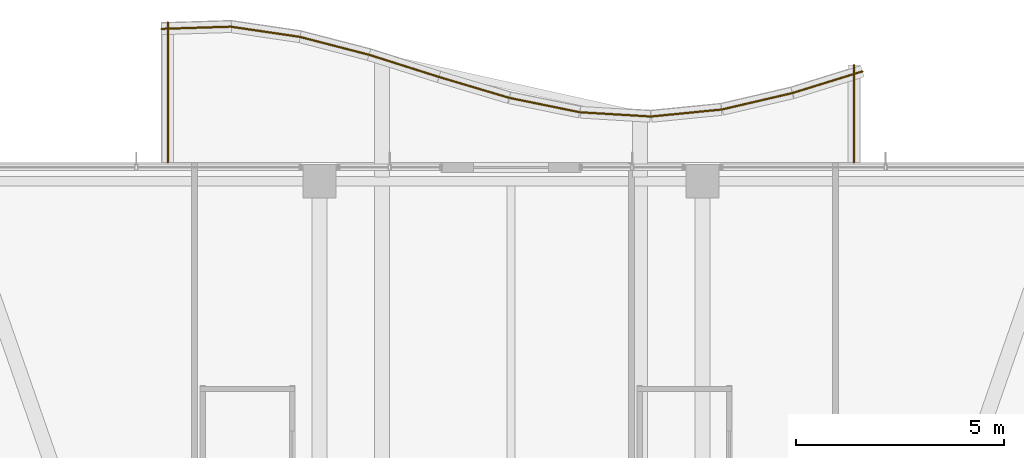
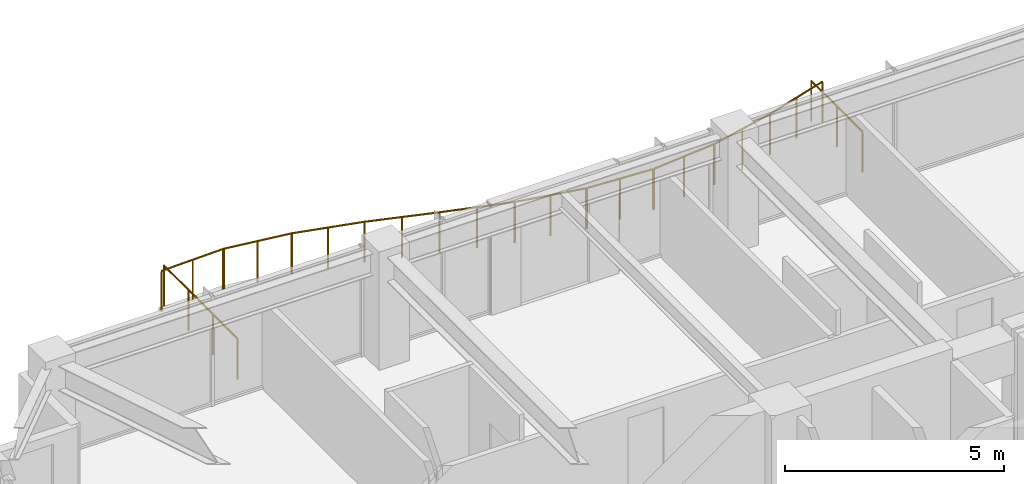
# One storey, part 36 of 36: 12 railings.
"""IFC4 building model written with IfcOpenShell, lengths in metres."""

import ifcopenshell
import ifcopenshell.guid

model = None  # the IFC model being written
_history = None  # IfcOwnerHistory: only IFC2X3 demands one
_inside = {}  # id of a spatial element -> (the spatial element, [elements in it])
_under = {}  # id of a project, library or spatial element -> (it, [spatial elements below it])
_declared = {}  # id of a project -> (the project, [libraries it declares])
_typed = {}  # id of a type object -> (the type object, [elements of that type])
_made_of = {}  # id of a material, layer set ... -> (it, [elements and type objects made of it])


def new_model(schema):
    """Start an empty IFC model of exactly this schema.

    Asked for "IFC4X3", IfcOpenShell would pick the latest addendum, in which some entities
    have other attributes; the version numbers below select the first issue.
    IFC2X3 requires an IfcOwnerHistory on every rooted entity: one is made here for all.
    """
    global model, _history
    if schema == "IFC4X3":
        model = ifcopenshell.file(schema_version=(4, 3, 0, 0))
    else:
        model = ifcopenshell.file(schema=schema)
    _inside.clear()
    _under.clear()
    _declared.clear()
    _typed.clear()
    _made_of.clear()
    _history = None
    if model.schema == "IFC2X3":
        org = make("IfcOrganization", Name="unknown")
        user = make(
            "IfcPersonAndOrganization",
            ThePerson=make("IfcPerson", FamilyName="unknown"),
            TheOrganization=org,
        )
        app = make(
            "IfcApplication",
            ApplicationDeveloper=org,
            Version="unknown",
            ApplicationFullName="unknown",
            ApplicationIdentifier="unknown",
        )
        _history = make(
            "IfcOwnerHistory",
            OwningUser=user,
            OwningApplication=app,
            ChangeAction="ADDED",
            CreationDate=0,
        )
    return model


def make(cls, **values):
    """One entity of the class cls with the attributes given. An attribute that is None is left unset."""
    return model.create_entity(
        cls, **{name: value for name, value in values.items() if value is not None}
    )


def rooted(cls, **values):
    """An entity with a GlobalId (a new one), such as an element, a storey or a relation."""
    return make(cls, GlobalId=ifcopenshell.guid.new(), OwnerHistory=_history, **values)


def si_unit(unit_type, name, prefix=None):
    """IfcSIUnit, for example si_unit("LENGTHUNIT", "METRE", prefix="MILLI")."""
    return make("IfcSIUnit", UnitType=unit_type, Prefix=prefix, Name=name)


def assignment(units):
    """IfcUnitAssignment: the units of a project."""
    return None if units is None else make("IfcUnitAssignment", Units=units)


def point(xyz):
    """IfcCartesianPoint."""
    return None if xyz is None else make("IfcCartesianPoint", Coordinates=xyz)


def direction(xyz):
    """IfcDirection."""
    return None if xyz is None else make("IfcDirection", DirectionRatios=xyz)


def frame(location, z_axis=None, x_axis=None):
    """IfcAxis2Placement3D, a coordinate frame: its origin and axes. An axis left out is left unset."""
    return make(
        "IfcAxis2Placement3D",
        Location=point(location),
        Axis=direction(z_axis),
        RefDirection=direction(x_axis),
    )


def frame_2d(location, x_axis=None):
    """IfcAxis2Placement2D, a coordinate frame in the plane: its origin and x axis."""
    return make(
        "IfcAxis2Placement2D", Location=point(location), RefDirection=direction(x_axis)
    )


def origin():
    """The frame at (0, 0, 0) with its axes left unset."""
    return frame((0.0, 0.0, 0.0))


def origin_2d():
    """The frame at (0, 0) in the plane with its x axis left unset."""
    return frame_2d((0.0, 0.0))


def place(relative_to, where):
    """IfcLocalPlacement: puts the frame where relative to a parent placement (None: the world)."""
    return make(
        "IfcLocalPlacement", PlacementRelTo=relative_to, RelativePlacement=where
    )


def context(
    kind, dimensions, precision=None, world=None, true_north=None, identifier=None
):
    """IfcGeometricRepresentationContext, for example the 3D "Model" context."""
    return make(
        "IfcGeometricRepresentationContext",
        ContextIdentifier=identifier,
        ContextType=kind,
        CoordinateSpaceDimension=dimensions,
        Precision=precision,
        WorldCoordinateSystem=world,
        TrueNorth=true_north,
    )


def subcontext(parent, identifier, kind, view, scale=None):
    """IfcGeometricRepresentationSubContext, for example "Body" below "Model"."""
    return make(
        "IfcGeometricRepresentationSubContext",
        ContextIdentifier=identifier,
        ContextType=kind,
        ParentContext=parent,
        TargetScale=scale,
        TargetView=view,
    )


def project(units=None, contexts=None):
    """IfcProject with its units and contexts."""
    return rooted(
        "IfcProject",
        Name="project",
        RepresentationContexts=contexts,
        UnitsInContext=assignment(units),
    )


def spatial(cls, under=None, at=None, **own):
    """A site, building, storey or space (cls), placed at a placement, below another one or the project."""
    s = rooted(cls, ObjectPlacement=at, **own)
    if under is not None:
        _under.setdefault(under.id(), (under, []))[1].append(s)
    return s


def profile(cls, at=None, kind="AREA", **sizes):
    """A parametric profile (cls). Its sizes go by their IFC names, for example OverallWidth=200.0."""
    return make(cls, ProfileType=kind, Position=at, **sizes)


def circle(**sizes):
    """IfcCircleProfileDef."""
    return profile("IfcCircleProfileDef", **sizes)


def extrude(swept, where, along, depth):
    """IfcExtrudedAreaSolid: the profile swept, set in the frame where, extruded along a direction by depth."""
    return make(
        "IfcExtrudedAreaSolid",
        SweptArea=swept,
        Position=where,
        ExtrudedDirection=direction(along),
        Depth=depth,
    )


def shape(context_of_items, identifier, shape_type, items):
    """IfcShapeRepresentation: the items that make up one representation, for example the "Body"."""
    return make(
        "IfcShapeRepresentation",
        ContextOfItems=context_of_items,
        RepresentationIdentifier=identifier,
        RepresentationType=shape_type,
        Items=items,
    )


def material(Name=None, Category=None):
    """IfcMaterial."""
    return make("IfcMaterial", Name=Name, Category=Category)


def made_of(thing, what):
    """Note that an element or type object is made of a material, layer set ...; save() writes the relation."""
    if what is not None:
        _made_of.setdefault(what.id(), (what, []))[1].append(thing)
    return thing


def type_object(cls, material=None, **own):
    """A type object (cls), such as IfcWallType, which elements share."""
    return made_of(rooted(cls, **own), material)


def element(
    cls,
    number,
    at=None,
    inside=None,
    cuts=None,
    type_object=None,
    material=None,
    context=None,
    identifier="Body",
    shape_type=None,
    held_by="IfcProductDefinitionShape",
    body=None,
    shapes=None,
    **own,
):
    """One element of the class cls, such as IfcWall. Its Tag is "e" and its number.

    at: its placement. inside: the storey or other place that contains it. cuts: it is an
    opening in that element (IfcRelVoidsElement). A single representation is given by context,
    identifier, shape_type and body (its items); several are given by shapes. held_by: the class
    of the entity that holds the representations. save() writes the other relations.
    """
    e = rooted(cls, Tag="e%d" % number, ObjectPlacement=at, **own)
    if body is not None:
        shapes = [shape(context, identifier, shape_type, body)]
    if shapes is not None:
        e.Representation = make(held_by, Representations=shapes)
    if inside is not None:
        _inside.setdefault(inside.id(), (inside, []))[1].append(e)
    if cuts is not None:
        rooted(
            "IfcRelVoidsElement", RelatingBuildingElement=cuts, RelatedOpeningElement=e
        )
    if type_object is not None:
        _typed.setdefault(type_object.id(), (type_object, []))[1].append(e)
    return made_of(e, material)


def aggregate(whole, parts):
    """IfcRelAggregates: a whole, such as a stair, and the parts it consists of."""
    return rooted("IfcRelAggregates", RelatingObject=whole, RelatedObjects=parts)


def save(model, path):
    """Write the relations noted so far, then the file.

    IfcRelAggregates (storeys below a building ...), IfcRelContainedInSpatialStructure (elements
    in a storey), IfcRelDefinesByType, IfcRelAssociatesMaterial and IfcRelDeclares: one each for
    every whole, place, type object, material and project.
    """
    for whole, parts in _under.values():
        aggregate(whole, parts)
    for where, things in _inside.values():
        rooted(
            "IfcRelContainedInSpatialStructure",
            RelatedElements=things,
            RelatingStructure=where,
        )
    for kind, things in _typed.values():
        rooted("IfcRelDefinesByType", RelatedObjects=things, RelatingType=kind)
    for what, things in _made_of.values():
        rooted("IfcRelAssociatesMaterial", RelatedObjects=things, RelatingMaterial=what)
    for by, libraries in _declared.values():
        rooted("IfcRelDeclares", RelatingContext=by, RelatedDefinitions=libraries)
    model.write(path)


model = new_model("IFC4")

# Units and contexts
model_context = context("Model", 3, precision=1e-05, world=origin(), true_north=direction((0.0, 1.0)))
body_context = subcontext(model_context, "Body", "Model", "MODEL_VIEW")
ifc_project = project(units=[si_unit("LENGTHUNIT", "METRE"), si_unit("AREAUNIT", "SQUARE_METRE"), si_unit("VOLUMEUNIT", "CUBIC_METRE"), si_unit("PLANEANGLEUNIT", "RADIAN"), si_unit("MASSUNIT", "GRAM", prefix="KILO")], contexts=[model_context])

# Site, building, storey
site_placement = place(None, origin())
site = spatial("IfcSite", under=ifc_project, at=site_placement, CompositionType="ELEMENT")
building_placement = place(site_placement, origin())
building = spatial("IfcBuilding", under=site, at=building_placement, Name="Kolvaren Belvedere", CompositionType="ELEMENT")
storey_placement = place(building_placement, frame((0.0, 0.0, 226.199951171875)))
storey = spatial("IfcBuildingStorey", under=building, at=storey_placement, Name="L66", CompositionType="ELEMENT", Elevation=226.199951171875)

# Railings
ifc_material = material(Name="Anodised pale-metal aluminium & laminated glass guard", Category="aluminium")
railing_type = type_object("IfcRailingType", Name="RL-GUARD-1150", PredefinedType="GUARDRAIL", material=ifc_material)
railing_1_placement = place(storey_placement, frame((8.239990234375, 20.39990234375, 0.380126953125)))
element("IfcRailing", 1, at=railing_1_placement, inside=storey, type_object=railing_type, Name="L66 Exterior Deck Safety Guard BAL-N-11", PredefinedType="GUARDRAIL", context=body_context, shape_type="SweptSolid", body=[
    extrude(circle(Radius=0.02392578125, at=origin_2d()), frame((0.0, 0.0, 1.1259765625), z_axis=(0.0, 1.0, 0.0), x_axis=(-1.0, 0.0, 0.0)), (0.0, 0.0, 1.0), 2.340087890625),
    extrude(circle(Radius=0.02099609375, at=origin_2d()), origin(), (0.0, 0.0, 1.0), 1.101806640625),
    extrude(circle(Radius=0.02099609375, at=origin_2d()), frame((0.0, 1.169921875, 0.0)), (0.0, 0.0, 1.0), 1.101806640625),
    extrude(circle(Radius=0.02099609375, at=origin_2d()), frame((0.0, 2.340087890625, 0.0)), (0.0, 0.0, 1.0), 1.101806640625),
])
railing_2_placement = place(storey_placement, frame((8.447265625, 22.587158203125, 0.380126953125)))
element("IfcRailing", 2, at=railing_2_placement, inside=storey, type_object=railing_type, Name="L66 Exterior Deck Safety Guard BAL-N-12", PredefinedType="GUARDRAIL", context=body_context, shape_type="SweptSolid", body=[
    extrude(circle(Radius=0.02392578125, at=origin_2d()), frame((0.0, 0.0, 1.1259765625), z_axis=(-0.95524013163, -0.295831524561, 0.0), x_axis=(0.295831524561, -0.95524013163, 0.0)), (0.0, 0.0, 1.0), 1.758544921875),
    extrude(circle(Radius=0.02099609375, at=origin_2d()), origin(), (0.0, 0.0, 1.0), 1.101806640625),
    extrude(circle(Radius=0.02099609375, at=origin_2d()), frame((-0.83984375, -0.26025390625, 0.0)), (0.0, 0.0, 1.0), 1.101806640625),
    extrude(circle(Radius=0.02099609375, at=origin_2d()), frame((-1.679931640625, -0.520263671875, 0.0)), (0.0, 0.0, 1.0), 1.101806640625),
])
railing_3_placement = place(storey_placement, frame((6.75634765625, 22.06396484375, 0.380126953125)))
element("IfcRailing", 3, at=railing_3_placement, inside=storey, type_object=railing_type, Name="L66 Exterior Deck Safety Guard BAL-N-13", PredefinedType="GUARDRAIL", context=body_context, shape_type="SweptSolid", body=[
    extrude(circle(Radius=0.02392578125, at=origin_2d()), frame((0.0, 0.0, 1.1259765625), z_axis=(-0.973890253884, -0.227019323824, 0.0), x_axis=(0.227019323824, -0.973890253884, 0.0)), (0.0, 0.0, 1.0), 1.724853515625),
    extrude(circle(Radius=0.02099609375, at=origin_2d()), origin(), (0.0, 0.0, 1.0), 1.101806640625),
    extrude(circle(Radius=0.02099609375, at=origin_2d()), frame((-0.83984375, -0.19580078125, 0.0)), (0.0, 0.0, 1.0), 1.101806640625),
    extrude(circle(Radius=0.02099609375, at=origin_2d()), frame((-1.679931640625, -0.3916015625, 0.0)), (0.0, 0.0, 1.0), 1.101806640625),
])
railing_4_placement = place(storey_placement, frame((5.0556640625, 21.6689453125, 0.380126953125)))
element("IfcRailing", 4, at=railing_4_placement, inside=storey, type_object=railing_type, Name="L66 Exterior Deck Safety Guard BAL-N-14", PredefinedType="GUARDRAIL", context=body_context, shape_type="SweptSolid", body=[
    extrude(circle(Radius=0.02392578125, at=origin_2d()), frame((0.0, 0.0, 1.1259765625), z_axis=(-0.995152499202, -0.098343801694, 0.0), x_axis=(0.098343801694, -0.995152499202, 0.0)), (0.0, 0.0, 1.0), 1.688232421875),
    extrude(circle(Radius=0.02099609375, at=origin_2d()), origin(), (0.0, 0.0, 1.0), 1.101806640625),
    extrude(circle(Radius=0.02099609375, at=origin_2d()), frame((-0.83984375, -0.0830078125, 0.0)), (0.0, 0.0, 1.0), 1.101806640625),
    extrude(circle(Radius=0.02099609375, at=origin_2d()), frame((-1.679931640625, -0.166015625, 0.0)), (0.0, 0.0, 1.0), 1.101806640625),
])
railing_5_placement = place(storey_placement, frame((3.350341796875, 21.50244140625, 0.380126953125)))
element("IfcRailing", 5, at=railing_5_placement, inside=storey, type_object=railing_type, Name="L66 Exterior Deck Safety Guard BAL-N-15", PredefinedType="GUARDRAIL", context=body_context, shape_type="SweptSolid", body=[
    extrude(circle(Radius=0.02392578125, at=origin_2d()), frame((0.0, 0.0, 1.1259765625), z_axis=(-0.998212296378, 0.059767979379, 0.0), x_axis=(-0.059767979379, -0.998212296378, 0.0)), (0.0, 0.0, 1.0), 1.682861328125),
    extrude(circle(Radius=0.02099609375, at=origin_2d()), origin(), (0.0, 0.0, 1.0), 1.101806640625),
    extrude(circle(Radius=0.02099609375, at=origin_2d()), frame((-0.83984375, 0.05029296875, 0.0)), (0.0, 0.0, 1.0), 1.101806640625),
    extrude(circle(Radius=0.02099609375, at=origin_2d()), frame((-1.679931640625, 0.1005859375, 0.0)), (0.0, 0.0, 1.0), 1.101806640625),
])
railing_6_placement = place(storey_placement, frame((1.64794921875, 21.60595703125, 0.380126953125)))
element("IfcRailing", 6, at=railing_6_placement, inside=storey, type_object=railing_type, Name="L66 Exterior Deck Safety Guard BAL-N-16", PredefinedType="GUARDRAIL", context=body_context, shape_type="SweptSolid", body=[
    extrude(circle(Radius=0.02392578125, at=origin_2d()), frame((0.0, 0.0, 1.1259765625), z_axis=(-0.979839912937, 0.199784246163, 0.0), x_axis=(-0.199784246163, -0.979839912937, 0.0)), (0.0, 0.0, 1.0), 1.714599609375),
    extrude(circle(Radius=0.02099609375, at=origin_2d()), origin(), (0.0, 0.0, 1.0), 1.101806640625),
    extrude(circle(Radius=0.02099609375, at=origin_2d()), frame((-0.83984375, 0.17138671875, 0.0)), (0.0, 0.0, 1.0), 1.101806640625),
    extrude(circle(Radius=0.02099609375, at=origin_2d()), frame((-1.679931640625, 0.342529296875, 0.0)), (0.0, 0.0, 1.0), 1.101806640625),
])
railing_7_placement = place(storey_placement, frame((-0.045654296875, 21.951904296875, 0.380126953125)))
element("IfcRailing", 7, at=railing_7_placement, inside=storey, type_object=railing_type, Name="L66 Exterior Deck Safety Guard BAL-N-17", PredefinedType="GUARDRAIL", context=body_context, shape_type="SweptSolid", body=[
    extrude(circle(Radius=0.02392578125, at=origin_2d()), frame((0.0, 0.0, 1.1259765625), z_axis=(-0.95856309129, 0.284880325779, 0.0), x_axis=(-0.284880325779, -0.95856309129, 0.0)), (0.0, 0.0, 1.0), 1.75244140625),
    extrude(circle(Radius=0.02099609375, at=origin_2d()), origin(), (0.0, 0.0, 1.0), 1.101806640625),
    extrude(circle(Radius=0.02099609375, at=origin_2d()), frame((-0.83984375, 0.24951171875, 0.0)), (0.0, 0.0, 1.0), 1.101806640625),
    extrude(circle(Radius=0.02099609375, at=origin_2d()), frame((-1.679931640625, 0.499267578125, 0.0)), (0.0, 0.0, 1.0), 1.101806640625),
])
railing_8_placement = place(storey_placement, frame((-1.728515625, 22.4521484375, 0.380126953125)))
element("IfcRailing", 8, at=railing_8_placement, inside=storey, type_object=railing_type, Name="L66 Exterior Deck Safety Guard BAL-N-18", PredefinedType="GUARDRAIL", context=body_context, shape_type="SweptSolid", body=[
    extrude(circle(Radius=0.02392578125, at=origin_2d()), frame((0.0, 0.0, 1.1259765625), z_axis=(-0.953181954832, 0.302397356111, 0.0), x_axis=(-0.302397356111, -0.953181954832, 0.0)), (0.0, 0.0, 1.0), 1.762451171875),
    extrude(circle(Radius=0.02099609375, at=origin_2d()), origin(), (0.0, 0.0, 1.0), 1.101806640625),
    extrude(circle(Radius=0.02099609375, at=origin_2d()), frame((-0.83984375, 0.2666015625, 0.0)), (0.0, 0.0, 1.0), 1.101806640625),
    extrude(circle(Radius=0.02099609375, at=origin_2d()), frame((-1.679931640625, 0.532958984375, 0.0)), (0.0, 0.0, 1.0), 1.101806640625),
])
railing_9_placement = place(storey_placement, frame((-3.400146484375, 22.982666015625, 0.380126953125)))
element("IfcRailing", 9, at=railing_9_placement, inside=storey, type_object=railing_type, Name="L66 Exterior Deck Safety Guard BAL-N-19", PredefinedType="GUARDRAIL", context=body_context, shape_type="SweptSolid", body=[
    extrude(circle(Radius=0.02392578125, at=origin_2d()), frame((0.0, 0.0, 1.1259765625), z_axis=(-0.968132209145, 0.250439664624, 0.0), x_axis=(-0.250439664624, -0.968132209145, 0.0)), (0.0, 0.0, 1.0), 1.7353515625),
    extrude(circle(Radius=0.02099609375, at=origin_2d()), origin(), (0.0, 0.0, 1.0), 1.101806640625),
    extrude(circle(Radius=0.02099609375, at=origin_2d()), frame((-0.83984375, 0.21728515625, 0.0)), (0.0, 0.0, 1.0), 1.101806640625),
    extrude(circle(Radius=0.02099609375, at=origin_2d()), frame((-1.679931640625, 0.4345703125, 0.0)), (0.0, 0.0, 1.0), 1.101806640625),
])
railing_10_placement = place(storey_placement, frame((-5.063232421875, 23.413818359375, 0.380126953125)))
element("IfcRailing", 10, at=railing_10_placement, inside=storey, type_object=railing_type, Name="L66 Exterior Deck Safety Guard BAL-N-20", PredefinedType="GUARDRAIL", context=body_context, shape_type="SweptSolid", body=[
    extrude(circle(Radius=0.02392578125, at=origin_2d()), frame((0.0, 0.0, 1.1259765625), z_axis=(-0.98929818871, 0.145907826437, 0.0), x_axis=(-0.145907826437, -0.98929818871, 0.0)), (0.0, 0.0, 1.0), 1.6982421875),
    extrude(circle(Radius=0.02099609375, at=origin_2d()), origin(), (0.0, 0.0, 1.0), 1.101806640625),
    extrude(circle(Radius=0.02099609375, at=origin_2d()), frame((-0.840087890625, 0.1240234375, 0.0)), (0.0, 0.0, 1.0), 1.101806640625),
    extrude(circle(Radius=0.02099609375, at=origin_2d()), frame((-1.68017578125, 0.247802734375, 0.0)), (0.0, 0.0, 1.0), 1.101806640625),
])
railing_11_placement = place(storey_placement, frame((-6.715087890625, 23.66015625, 0.380126953125)))
element("IfcRailing", 11, at=railing_11_placement, inside=storey, type_object=railing_type, Name="L66 Exterior Deck Safety Guard BAL-N-21", PredefinedType="GUARDRAIL", context=body_context, shape_type="SweptSolid", body=[
    extrude(circle(Radius=0.02392578125, at=origin_2d()), frame((0.0, 0.0, 1.1259765625), z_axis=(-0.999503107358, -0.031520443874, 0.0), x_axis=(0.031520443874, -0.999503107358, 0.0)), (0.0, 0.0, 1.0), 1.6806640625),
    extrude(circle(Radius=0.02099609375, at=origin_2d()), origin(), (0.0, 0.0, 1.0), 1.101806640625),
    extrude(circle(Radius=0.02099609375, at=origin_2d()), frame((-0.83984375, -0.0263671875, 0.0)), (0.0, 0.0, 1.0), 1.101806640625),
    extrude(circle(Radius=0.02099609375, at=origin_2d()), frame((-1.679931640625, -0.052978515625, 0.0)), (0.0, 0.0, 1.0), 1.101806640625),
])
railing_12_placement = place(storey_placement, frame((-8.239990234375, 23.76708984375, 0.380126953125)))
element("IfcRailing", 12, at=railing_12_placement, inside=storey, type_object=railing_type, Name="L66 Exterior Deck Safety Guard BAL-N-22", PredefinedType="GUARDRAIL", context=body_context, shape_type="SweptSolid", body=[
    extrude(circle(Radius=0.02392578125, at=origin_2d()), frame((0.0, 0.0, 1.1259765625), z_axis=(0.0, -1.0, 0.0), x_axis=(1.0, 0.0, 0.0)), (0.0, 0.0, 1.0), 3.3671875),
    extrude(circle(Radius=0.02099609375, at=origin_2d()), origin(), (0.0, 0.0, 1.0), 1.101806640625),
    extrude(circle(Radius=0.02099609375, at=origin_2d()), frame((0.0, -1.122314453125, 0.0)), (0.0, 0.0, 1.0), 1.101806640625),
    extrude(circle(Radius=0.02099609375, at=origin_2d()), frame((0.0, -2.244873046875, 0.0)), (0.0, 0.0, 1.0), 1.101806640625),
    extrude(circle(Radius=0.02099609375, at=origin_2d()), frame((0.0, -3.3671875, 0.0)), (0.0, 0.0, 1.0), 1.101806640625),
])

save(model, "model.ifc")
